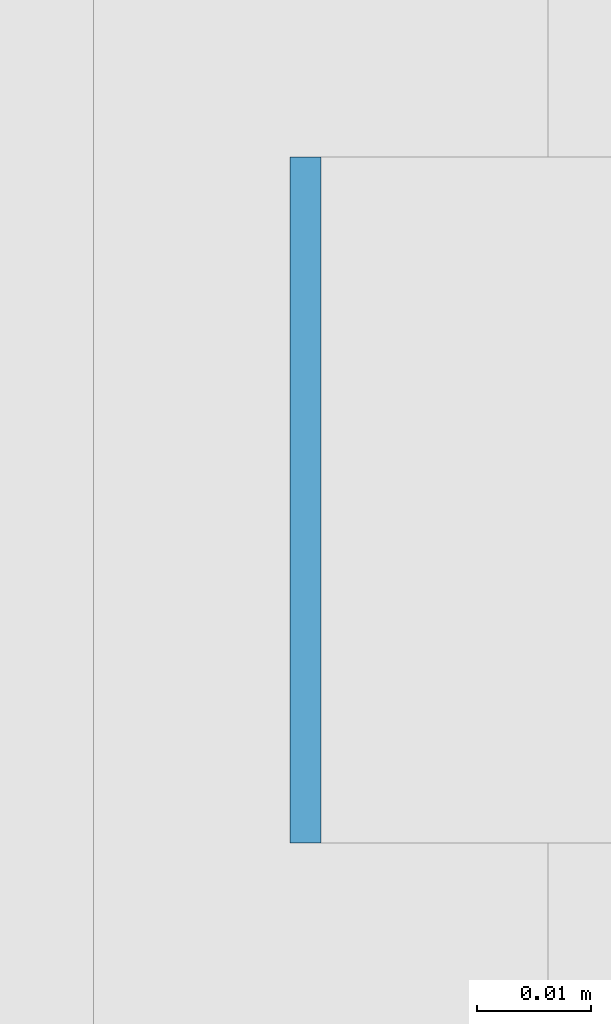
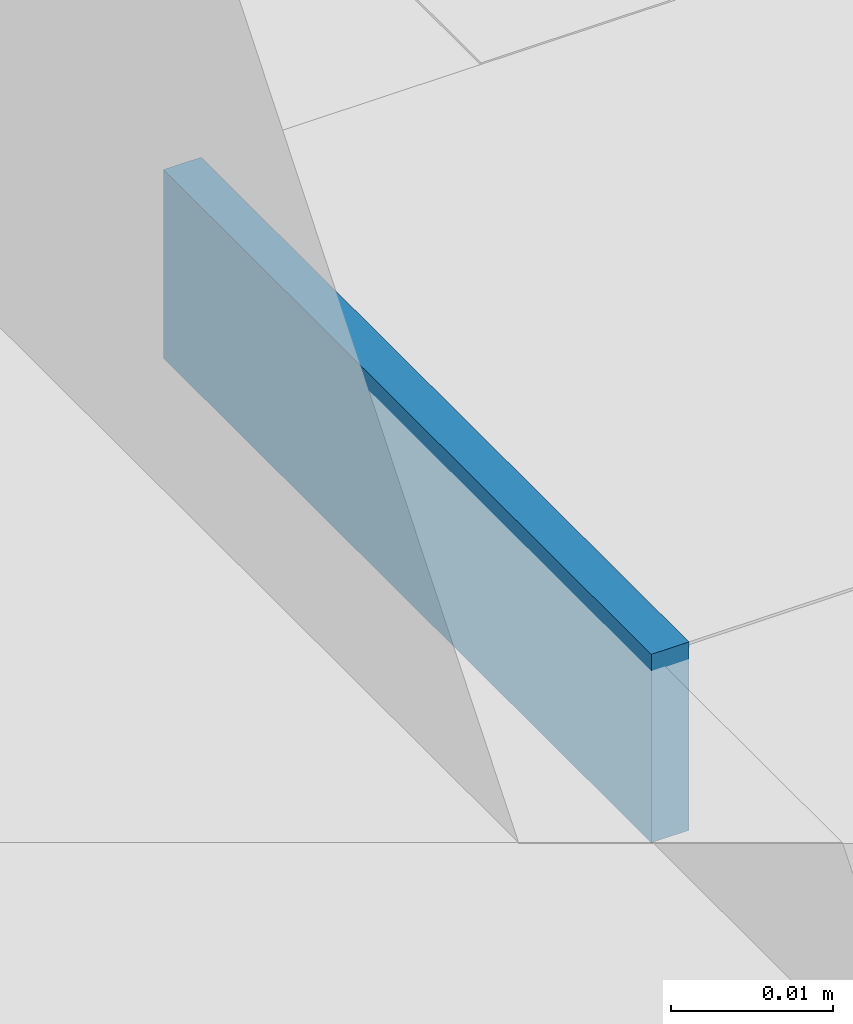
# One storey, part 483 of 646: 1 discrete accessory.
"""IFC4 building model written with IfcOpenShell, lengths in metres."""

from ifc_helpers import new_model, si_unit, direction, frame, origin, origin_2d, place, context, subcontext, project, spatial, rectangle, extrude, material, type_object, element, save


model = new_model("IFC4")

# Units and contexts
model_context = context("Model", 3, precision=1e-05, world=origin(), true_north=direction((0.0, 1.0)))
body_context = subcontext(model_context, "Body", "Model", "MODEL_VIEW")
ifc_project = project(units=[si_unit("LENGTHUNIT", "METRE"), si_unit("AREAUNIT", "SQUARE_METRE"), si_unit("VOLUMEUNIT", "CUBIC_METRE"), si_unit("PLANEANGLEUNIT", "RADIAN"), si_unit("MASSUNIT", "GRAM", prefix="KILO")], contexts=[model_context])

# Site, building, storey
site_placement = place(None, origin())
site = spatial("IfcSite", under=ifc_project, at=site_placement, CompositionType="ELEMENT")
building_placement = place(site_placement, origin())
building = spatial("IfcBuilding", under=site, at=building_placement, Name="Silverbay Arena", CompositionType="ELEMENT")
storey_placement = place(building_placement, frame((0.0, 0.0, 33.5)))
storey = spatial("IfcBuildingStorey", under=building, at=storey_placement, Name="L05", CompositionType="ELEMENT", Elevation=33.5)

# Discrete accessory
ifc_material = material(Name="Steel S355", Category="steel")
discrete_accessory_type = type_object("IfcDiscreteAccessoryType", Name="Steel bracket plate", PredefinedType="BRACKET", material=ifc_material)
discrete_accessory_placement = place(storey_placement, frame((207.128662109375, 57.857177734375, 12.98583984375), z_axis=(0.0, 0.0, 1.0), x_axis=(1.0, 0.0, 0.0)))
element("IfcDiscreteAccessory", 1, at=discrete_accessory_placement, inside=storey, type_object=discrete_accessory_type, Name="Curtain wall packing plate", PredefinedType="BRACKET", context=body_context, shape_type="SweptSolid", body=[
    extrude(rectangle(XDim=0.002685546875, YDim=0.06005859375, at=origin_2d()), origin(), (0.0, 0.0, 1.0), 0.01416015625),
])

save(model, "model.ifc")
